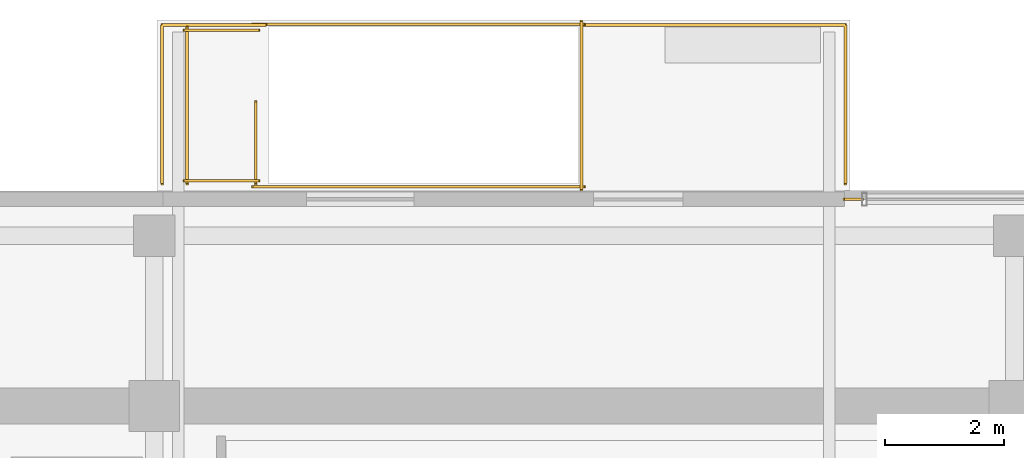
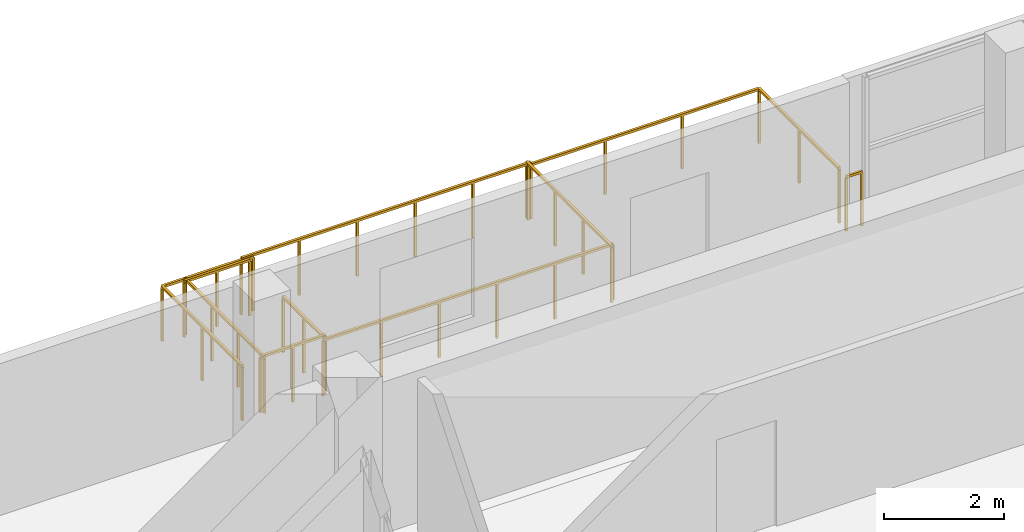
# One storey, part 23 of 24: 10 railings.
"""IFC4 building model written with IfcOpenShell, lengths in metres."""

from ifc_helpers import new_model, si_unit, direction, frame, origin, origin_2d, place, context, subcontext, project, spatial, rectangle, extrude, material, type_object, element, save


model = new_model("IFC4")

# Units and contexts
model_context = context("Model", 3, precision=1e-05, world=origin(), true_north=direction((0.0, 1.0)))
body_context = subcontext(model_context, "Body", "Model", "MODEL_VIEW")
ifc_project = project(units=[si_unit("LENGTHUNIT", "METRE"), si_unit("AREAUNIT", "SQUARE_METRE"), si_unit("VOLUMEUNIT", "CUBIC_METRE"), si_unit("PLANEANGLEUNIT", "RADIAN"), si_unit("MASSUNIT", "GRAM", prefix="KILO")], contexts=[model_context])

# Site, building, storey
site_placement = place(None, origin())
site = spatial("IfcSite", under=ifc_project, at=site_placement, CompositionType="ELEMENT")
building_placement = place(site_placement, origin())
building = spatial("IfcBuilding", under=site, at=building_placement, Name="Zarnakvel Exchange Tower", CompositionType="ELEMENT")
storey_placement = place(building_placement, frame((0.0, 0.0, 235.300048828125)))
storey = spatial("IfcBuildingStorey", under=building, at=storey_placement, Name="L66", CompositionType="ELEMENT", Elevation=235.300048828125)

# Railings
ifc_material = material(Name="Architectural Bronze Anodised Aluminium", Category="aluminium")
railing_type_1 = type_object("IfcRailingType", Name="GR-02", PredefinedType="GUARDRAIL", material=ifc_material)
railing_1_placement = place(storey_placement, frame((-7.070068359375, 17.219970703125, 0.0)))
element("IfcRailing", 1, at=railing_1_placement, inside=storey, type_object=railing_type_1, Name="L66 Spiral Sky-Terrace West Perimeter Guardrail", PredefinedType="GUARDRAIL", context=body_context, shape_type="SweptSolid", body=[
    extrude(rectangle(XDim=0.048095703125, YDim=0.048095703125, at=origin_2d()), frame((0.0, 0.0, 1.09619140625), z_axis=(0.0, 1.0, 0.0), x_axis=(-1.0, 0.0, 0.0)), (0.0, 0.0, 1.0), 2.659912109375),
    extrude(rectangle(XDim=0.048095703125, YDim=0.048095703125, at=origin_2d()), frame((0.0, 2.659912109375, 1.09619140625), z_axis=(1.0, 0.0, 0.0), x_axis=(0.0, 1.0, 0.0)), (0.0, 0.0, 1.0), 1.739990234375),
    extrude(rectangle(XDim=0.0419921875, YDim=0.0419921875, at=origin_2d()), origin(), (0.0, 0.0, 1.0), 1.072021484375),
    extrude(rectangle(XDim=0.0419921875, YDim=0.0419921875, at=origin_2d()), frame((0.0, 1.330078125, 0.0)), (0.0, 0.0, 1.0), 1.072021484375),
    extrude(rectangle(XDim=0.0419921875, YDim=0.0419921875, at=origin_2d()), frame((0.0, 2.659912109375, 0.0)), (0.0, 0.0, 1.0), 1.072021484375),
    extrude(rectangle(XDim=0.0419921875, YDim=0.0419921875, at=origin_2d()), frame((1.739990234375, 2.659912109375, 0.0)), (0.0, 0.0, 1.0), 1.072021484375),
])
railing_2_placement = place(storey_placement, frame((-0.06005859375, 19.8798828125, 0.0)))
element("IfcRailing", 2, at=railing_2_placement, inside=storey, type_object=railing_type_1, Name="L66 Spiral Sky-Terrace East Corner Guardrail", PredefinedType="GUARDRAIL", context=body_context, shape_type="SweptSolid", body=[
    extrude(rectangle(XDim=0.048095703125, YDim=0.048095703125, at=origin_2d()), frame((0.0, 0.0, 1.09619140625), z_axis=(1.0, 0.0, 0.0), x_axis=(0.0, 1.0, 0.0)), (0.0, 0.0, 1.0), 4.43017578125),
    extrude(rectangle(XDim=0.048095703125, YDim=0.048095703125, at=origin_2d()), frame((4.43017578125, 0.0, 1.09619140625), z_axis=(0.0, -1.0, 0.0), x_axis=(1.0, 0.0, 0.0)), (0.0, 0.0, 1.0), 2.659912109375),
    extrude(rectangle(XDim=0.0419921875, YDim=0.0419921875, at=origin_2d()), origin(), (0.0, 0.0, 1.0), 1.072021484375),
    extrude(rectangle(XDim=0.0419921875, YDim=0.0419921875, at=origin_2d()), frame((1.476806640625, 0.0, 0.0)), (0.0, 0.0, 1.0), 1.072021484375),
    extrude(rectangle(XDim=0.0419921875, YDim=0.0419921875, at=origin_2d()), frame((2.953369140625, 0.0, 0.0)), (0.0, 0.0, 1.0), 1.072021484375),
    extrude(rectangle(XDim=0.0419921875, YDim=0.0419921875, at=origin_2d()), frame((4.43017578125, 0.0, 0.0)), (0.0, 0.0, 1.0), 1.072021484375),
    extrude(rectangle(XDim=0.0419921875, YDim=0.0419921875, at=origin_2d()), frame((4.43017578125, -1.330078125, 0.0)), (0.0, 0.0, 1.0), 1.072021484375),
    extrude(rectangle(XDim=0.0419921875, YDim=0.0419921875, at=origin_2d()), frame((4.43017578125, -2.659912109375, 0.0)), (0.0, 0.0, 1.0), 1.072021484375),
])
railing_3_placement = place(storey_placement, frame((4.35009765625, 16.9599609375, 0.0)))
element("IfcRailing", 3, at=railing_3_placement, inside=storey, type_object=railing_type_1, Name="L66 Corner Spandrel Balustrade #8", PredefinedType="GUARDRAIL", context=body_context, shape_type="SweptSolid", body=[
    extrude(rectangle(XDim=0.048095703125, YDim=0.048095703125, at=origin_2d()), frame((0.0, 0.0, 1.09619140625), z_axis=(1.0, 0.0, 0.0), x_axis=(0.0, 1.0, 0.0)), (0.0, 0.0, 1.0), 0.2998046875),
    extrude(rectangle(XDim=0.0419921875, YDim=0.0419921875, at=origin_2d()), origin(), (0.0, 0.0, 1.0), 1.072021484375),
    extrude(rectangle(XDim=0.0419921875, YDim=0.0419921875, at=origin_2d()), frame((0.2998046875, 0.0, 0.0)), (0.0, 0.0, 1.0), 1.072021484375),
])
railing_type_2 = type_object("IfcRailingType", Name="SG-01", PredefinedType="GUARDRAIL", material=ifc_material)
railing_4_placement = place(storey_placement, frame((-5.5, 17.219970703125, 0.0)))
element("IfcRailing", 4, at=railing_4_placement, inside=storey, type_object=railing_type_2, Name="L66 ST-14 top well guard 1", PredefinedType="GUARDRAIL", context=body_context, shape_type="SweptSolid", body=[
    extrude(rectangle(XDim=0.048095703125, YDim=0.048095703125, at=origin_2d()), frame((0.0, 0.0, 1.1259765625), z_axis=(0.0, 1.0, 0.0), x_axis=(-1.0, 0.0, 0.0)), (0.0, 0.0, 1.0), 1.3701171875),
    extrude(rectangle(XDim=0.0419921875, YDim=0.0419921875, at=origin_2d()), origin(), (0.0, 0.0, 1.0), 1.101806640625),
    extrude(rectangle(XDim=0.0419921875, YDim=0.0419921875, at=origin_2d()), frame((0.0, 0.68505859375, 0.0)), (0.0, 0.0, 1.0), 1.101806640625),
    extrude(rectangle(XDim=0.0419921875, YDim=0.0419921875, at=origin_2d()), frame((0.0, 1.3701171875, 0.0)), (0.0, 0.0, 1.0), 1.101806640625),
])
for number, where, name in (
    (5, (-5.550048828125, 17.169921875, 0.0), "L66 ST-14 top well guard 2"),
    (6, (-5.550048828125, 19.889892578125, 0.0), "L66 ST-14 top well guard 3"),
):
    element("IfcRailing", number, at=place(storey_placement, frame(where)), inside=storey, type_object=railing_type_2, Name=name, PredefinedType="GUARDRAIL", context=body_context, shape_type="SweptSolid", body=[
        extrude(rectangle(XDim=0.048095703125, YDim=0.048095703125, at=origin_2d()), frame((0.0, 0.0, 1.1259765625), z_axis=(1.0, 0.0, 0.0), x_axis=(0.0, 1.0, 0.0)), (0.0, 0.0, 1.0), 5.550048828125),
        extrude(rectangle(XDim=0.0419921875, YDim=0.0419921875, at=origin_2d()), origin(), (0.0, 0.0, 1.0), 1.101806640625),
        extrude(rectangle(XDim=0.0419921875, YDim=0.0419921875, at=origin_2d()), frame((1.110107421875, 0.0, 0.0)), (0.0, 0.0, 1.0), 1.101806640625),
        extrude(rectangle(XDim=0.0419921875, YDim=0.0419921875, at=origin_2d()), frame((2.219970703125, 0.0, 0.0)), (0.0, 0.0, 1.0), 1.101806640625),
        extrude(rectangle(XDim=0.0419921875, YDim=0.0419921875, at=origin_2d()), frame((3.330078125, 0.0, 0.0)), (0.0, 0.0, 1.0), 1.101806640625),
        extrude(rectangle(XDim=0.0419921875, YDim=0.0419921875, at=origin_2d()), frame((4.43994140625, 0.0, 0.0)), (0.0, 0.0, 1.0), 1.101806640625),
        extrude(rectangle(XDim=0.0419921875, YDim=0.0419921875, at=origin_2d()), frame((5.550048828125, 0.0, 0.0)), (0.0, 0.0, 1.0), 1.101806640625),
    ])
railing_5_placement = place(storey_placement, frame((-0.050048828125, 17.1201171875, 0.0)))
element("IfcRailing", 7, at=railing_5_placement, inside=storey, type_object=railing_type_2, Name="L66 ST-14 top well guard 4", PredefinedType="GUARDRAIL", context=body_context, shape_type="SweptSolid", body=[
    extrude(rectangle(XDim=0.048095703125, YDim=0.048095703125, at=origin_2d()), frame((0.0, 0.0, 1.1259765625), z_axis=(0.0, 1.0, 0.0), x_axis=(-1.0, 0.0, 0.0)), (0.0, 0.0, 1.0), 2.81982421875),
    extrude(rectangle(XDim=0.0419921875, YDim=0.0419921875, at=origin_2d()), origin(), (0.0, 0.0, 1.0), 1.101806640625),
    extrude(rectangle(XDim=0.0419921875, YDim=0.0419921875, at=origin_2d()), frame((0.0, 0.93994140625, 0.0)), (0.0, 0.0, 1.0), 1.101806640625),
    extrude(rectangle(XDim=0.0419921875, YDim=0.0419921875, at=origin_2d()), frame((0.0, 1.8798828125, 0.0)), (0.0, 0.0, 1.0), 1.101806640625),
    extrude(rectangle(XDim=0.0419921875, YDim=0.0419921875, at=origin_2d()), frame((0.0, 2.81982421875, 0.0)), (0.0, 0.0, 1.0), 1.101806640625),
])
for number, where, name in (
    (8, (-6.699951171875, 17.27001953125, 0.0), "L66 ST-14 top well guard 5"),
    (9, (-6.699951171875, 19.7900390625, 0.0), "L66 ST-14 top well guard 6"),
):
    element("IfcRailing", number, at=place(storey_placement, frame(where)), inside=storey, type_object=railing_type_2, Name=name, PredefinedType="GUARDRAIL", context=body_context, shape_type="SweptSolid", body=[
        extrude(rectangle(XDim=0.048095703125, YDim=0.048095703125, at=origin_2d()), frame((0.0, 0.0, 1.1259765625), z_axis=(1.0, 0.0, 0.0), x_axis=(0.0, 1.0, 0.0)), (0.0, 0.0, 1.0), 1.25),
        extrude(rectangle(XDim=0.0419921875, YDim=0.0419921875, at=origin_2d()), origin(), (0.0, 0.0, 1.0), 1.101806640625),
        extrude(rectangle(XDim=0.0419921875, YDim=0.0419921875, at=origin_2d()), frame((0.625, 0.0, 0.0)), (0.0, 0.0, 1.0), 1.101806640625),
        extrude(rectangle(XDim=0.0419921875, YDim=0.0419921875, at=origin_2d()), frame((1.25, 0.0, 0.0)), (0.0, 0.0, 1.0), 1.101806640625),
    ])
railing_6_placement = place(storey_placement, frame((-6.64990234375, 17.219970703125, 0.0)))
element("IfcRailing", 10, at=railing_6_placement, inside=storey, type_object=railing_type_2, Name="L66 ST-14 top well guard 7", PredefinedType="GUARDRAIL", context=body_context, shape_type="SweptSolid", body=[
    extrude(rectangle(XDim=0.048095703125, YDim=0.048095703125, at=origin_2d()), frame((0.0, 0.0, 1.1259765625), z_axis=(0.0, 1.0, 0.0), x_axis=(-1.0, 0.0, 0.0)), (0.0, 0.0, 1.0), 2.6201171875),
    extrude(rectangle(XDim=0.0419921875, YDim=0.0419921875, at=origin_2d()), origin(), (0.0, 0.0, 1.0), 1.101806640625),
    extrude(rectangle(XDim=0.0419921875, YDim=0.0419921875, at=origin_2d()), frame((0.0, 0.873291015625, 0.0)), (0.0, 0.0, 1.0), 1.101806640625),
    extrude(rectangle(XDim=0.0419921875, YDim=0.0419921875, at=origin_2d()), frame((0.0, 1.746826171875, 0.0)), (0.0, 0.0, 1.0), 1.101806640625),
    extrude(rectangle(XDim=0.0419921875, YDim=0.0419921875, at=origin_2d()), frame((0.0, 2.6201171875, 0.0)), (0.0, 0.0, 1.0), 1.101806640625),
])

save(model, "model.ifc")
